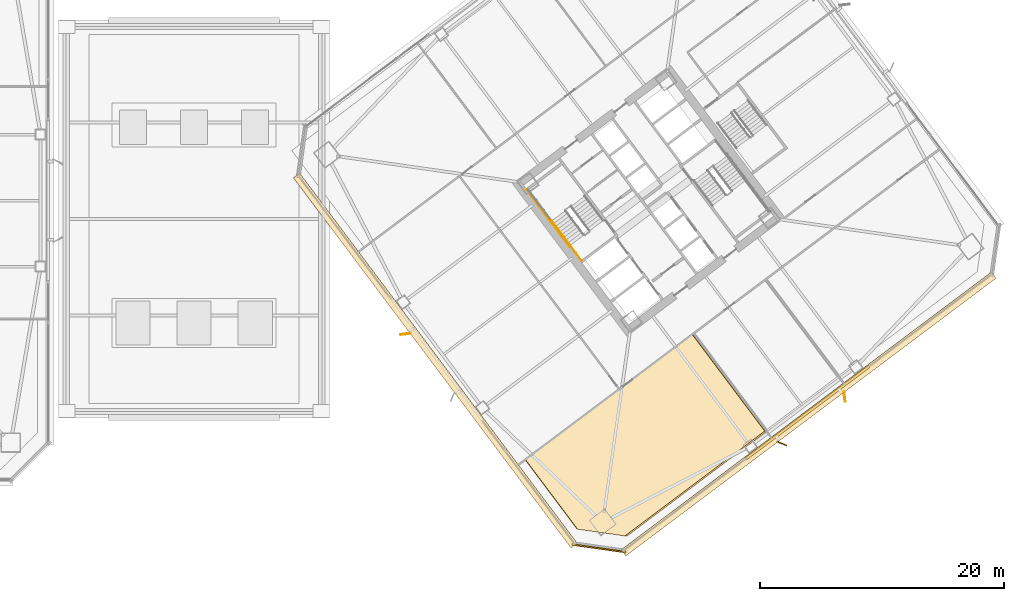
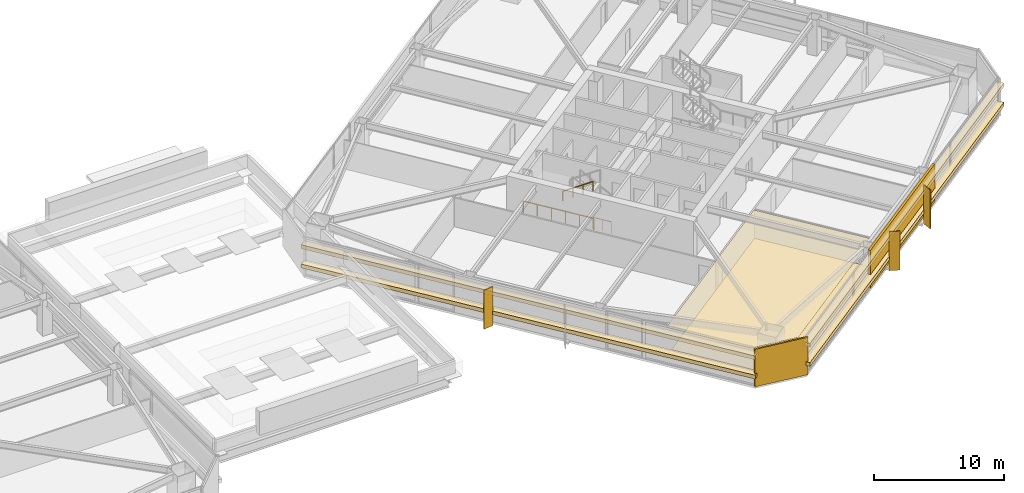
# One storey, part 58 of 62: 8 coverings, 3 railings, 3 shading devices.
"""IFC4 building model written with IfcOpenShell, lengths in metres."""

from ifc_helpers import new_model, si_unit, direction, frame, origin, origin_2d, place, context, subcontext, project, spatial, polyline, rectangle, outline, extrude, material, layer, layer_set, type_object, element, save


model = new_model("IFC4")

# Units and contexts
model_context = context("Model", 3, precision=1e-05, world=origin(), true_north=direction((0.0, 1.0)))
body_context = subcontext(model_context, "Body", "Model", "MODEL_VIEW")
ifc_project = project(units=[si_unit("LENGTHUNIT", "METRE"), si_unit("AREAUNIT", "SQUARE_METRE"), si_unit("VOLUMEUNIT", "CUBIC_METRE"), si_unit("PLANEANGLEUNIT", "RADIAN"), si_unit("MASSUNIT", "GRAM", prefix="KILO")], contexts=[model_context])

# Site, building, storey
site_placement = place(None, origin())
site = spatial("IfcSite", under=ifc_project, at=site_placement, CompositionType="ELEMENT")
building_placement = place(site_placement, origin())
building = spatial("IfcBuilding", under=site, at=building_placement, Name="Tashvorn Skyway Center", CompositionType="ELEMENT")
storey_placement = place(building_placement, frame((0.0, 0.0, 28.14990234375)))
storey = spatial("IfcBuildingStorey", under=building, at=storey_placement, Name="L06", CompositionType="ELEMENT", Elevation=28.14990234375)

# Coverings
ifc_material_1 = material(Name="Precast concrete C40/50", Category="concrete")
ifc_layer_1 = layer(ifc_material_1, 0.199951171875)
ifc_layer_set_1 = layer_set([ifc_layer_1], Name="Precast concrete C40/50")
covering_type_1 = type_object("IfcCoveringType", Name="COV-BRACE-CLAD", PredefinedType="CLADDING", material=ifc_layer_set_1)
covering_1_placement = place(storey_placement, frame((127.008056640625, 14.656005859375, 0.0), z_axis=(0.0, 0.0, 1.0), x_axis=(-0.799999996291, -0.600000004945, 0.0)))
element("IfcCovering", 1, at=covering_1_placement, inside=storey, type_object=covering_type_1, Name="Tower 2 L06 South Unitised Curtain Wall Mega-Brace Cladding Band 1", PredefinedType="CLADDING", context=body_context, shape_type="SweptSolid", body=[
    extrude(rectangle(XDim=12.586669921875, YDim=0.199951171875, at=origin_2d()), origin(), (0.0, 0.0, 1.0), 3.550048828125),
])
ifc_material_2 = material(Name="Mineral-fibre acoustic ceiling tile on suspended grid")
ifc_layer_2 = layer(ifc_material_2, 0.02001953125)
ifc_layer_set_2 = layer_set([ifc_layer_2], Name="Mineral-fibre acoustic ceiling tile on suspended grid")
covering_type_2 = type_object("IfcCoveringType", Name="COV-CEIL-20", PredefinedType="CEILING", material=ifc_layer_set_2)
covering_2_placement = place(storey_placement, frame((0.0, 0.0, 2.68310546875)))
element("IfcCovering", 2, at=covering_2_placement, inside=storey, type_object=covering_type_2, Name="Tower 2 L06 Open Plan Office Acoustic Ceiling", PredefinedType="CEILING", context=body_context, shape_type="SweptSolid", body=[
    extrude(outline(polyline([(103.93994140625, 10.780029296875), (117.587890625, 21.01611328125), (123.491943359375, 13.14404296875), (112.052001953125, 4.56396484375), (108.18798828125, 5.115966796875), (103.93994140625, 10.780029296875)])), origin(), (0.0, 0.0, 1.0), 0.02001953125),
])
ifc_material_3 = material(Name="Polished Mojave desert-aggregate terrazzo and cover plate")
ifc_layer_3 = layer(ifc_material_3, 0.0400390625)
ifc_layer_set_3 = layer_set([ifc_layer_3], Name="Polished Mojave desert-aggregate terrazzo and cover plate")
covering_type_3 = type_object("IfcCoveringType", Name="COV-FLR-40", PredefinedType="FLOORING", material=ifc_layer_set_3)
covering_3_placement = place(storey_placement, origin())
element("IfcCovering", 3, at=covering_3_placement, inside=storey, type_object=covering_type_3, Name="Tower 2 L06 Open Plan Office Finish Flooring", PredefinedType="FLOORING", context=body_context, shape_type="SweptSolid", body=[
    extrude(outline(polyline([(112.219970703125, 4.5400390625), (108.132080078125, 5.1240234375), (103.931884765625, 10.72412109375), (117.64404296875, 21.008056640625), (123.595947265625, 13.072021484375), (112.219970703125, 4.5400390625)])), origin(), (0.0, 0.0, 1.0), 0.0400390625),
])
ifc_material_4 = material(Name="Perforated ceramic-coated bronze aluminium solar screen", Category="aluminium")
ifc_layer_4 = layer(ifc_material_4, 0.85009765625)
ifc_layer_set_4 = layer_set([ifc_layer_4], Name="Perforated ceramic-coated bronze aluminium solar screen")
covering_type_4 = type_object("IfcCoveringType", Name="COV-SOLAR-BAND", PredefinedType="CLADDING", material=ifc_layer_set_4)
for number, where, z_axis, x_axis, name in (
    (4, (127.092041015625, 14.5439453125, 0.919921875), (0.0, 0.0, 1.0), (-0.799999996291, -0.600000004945, 0.0), "L06 Perforated Ceramic-Metal Solar Screen Louvre Band South 1"),
    (5, (127.092041015625, 14.5439453125, 2.72021484375), (0.0, 0.0, 1.0), (-0.799999996291, -0.600000004945, 0.0), "L06 Perforated Ceramic-Metal Solar Screen Louvre Band South 2"),
    (6, (96.5439453125, 18.907958984375, 0.919921875), (0.0, 0.0, 1.0), (-0.600000004945, 0.799999996291, 0.0), "L06 Perforated Ceramic-Metal Solar Screen Louvre Band West 1"),
    (7, (96.5439453125, 18.907958984375, 2.72021484375), (0.0, 0.0, 1.0), (-0.600000004945, 0.799999996291, 0.0), "L06 Perforated Ceramic-Metal Solar Screen Louvre Band West 2"),
):
    element("IfcCovering", number, at=place(storey_placement, frame(where, z_axis=z_axis, x_axis=x_axis)), inside=storey, type_object=covering_type_4, Name=name, PredefinedType="CLADDING", context=body_context, shape_type="SweptSolid", body=[
        extrude(rectangle(XDim=37.8798828125, YDim=0.639892578125, at=origin_2d()), origin(), (0.0, 0.0, 1.0), 0.360107421875),
    ])
ifc_layer_5 = layer(ifc_material_1, 0.35009765625)
ifc_layer_set_5 = layer_set([ifc_layer_5], Name="Precast concrete C40/50")
covering_type_5 = type_object("IfcCoveringType", Name="COV-STONE-TRIM", PredefinedType="CLADDING", material=ifc_layer_set_5)
covering_4_placement = place(storey_placement, frame((109.93603515625, 3.552001953125, 0.02001953125), z_axis=(0.0, 0.0, 1.0), x_axis=(-0.989949494535, 0.141421350118, 0.0)))
element("IfcCovering", 8, at=covering_4_placement, inside=storey, type_object=covering_type_5, Name="Tower 2 L06 SW Mojave Limestone Corner Quoin", PredefinedType="CLADDING", context=body_context, shape_type="SweptSolid", body=[
    extrude(rectangle(XDim=4.402587890625, YDim=0.139892578125, at=origin_2d()), origin(), (0.0, 0.0, 1.0), 3.510009765625),
])

# Railings
ifc_material_5 = material(Name="Brushed stainless steel 316", Category="steel")
railing_type_1 = type_object("IfcRailingType", Name="RAIL-HAND-920", PredefinedType="HANDRAIL", material=ifc_material_5)
railing_1_placement = place(storey_placement, frame((106.072021484375, 30.35400390625, 1.95263671875)))
element("IfcRailing", 9, at=railing_1_placement, inside=storey, type_object=railing_type_1, Name="L06 ST-T2-1 stair handrail 2", PredefinedType="HANDRAIL", context=body_context, shape_type="SweptSolid", body=[
    extrude(rectangle(XDim=0.048095703125, YDim=0.048095703125, at=origin_2d()), frame((0.0, 0.0, 0.8759765625), z_axis=(0.506740800098, -0.675708949977, 0.535379469569), x_axis=(0.800023250257, 0.599968998406, 0.0)), (0.0, 0.0, 1.0), 2.983642578125),
    extrude(rectangle(XDim=0.0419921875, YDim=0.0419921875, at=origin_2d()), origin(), (0.0, 0.0, 1.0), 0.851806640625),
    extrude(rectangle(XDim=0.0419921875, YDim=0.0419921875, at=origin_2d()), frame((0.50390625, -0.672119140625, 0.532470703125)), (0.0, 0.0, 1.0), 0.851806640625),
    extrude(rectangle(XDim=0.0419921875, YDim=0.0419921875, at=origin_2d()), frame((1.008056640625, -1.343994140625, 1.06494140625)), (0.0, 0.0, 1.0), 0.851806640625),
    extrude(rectangle(XDim=0.0419921875, YDim=0.0419921875, at=origin_2d()), frame((1.511962890625, -2.01611328125, 1.597412109375)), (0.0, 0.0, 1.0), 0.851806640625),
])
ifc_material_6 = material(Name="Painted galvanized steel S355", Category="steel")
railing_type_2 = type_object("IfcRailingType", Name="RAIL-STGUARD-1100", PredefinedType="GUARDRAIL", material=ifc_material_6)
railing_2_placement = place(storey_placement, frame((108.49609375, 27.1220703125, 0.0)))
element("IfcRailing", 10, at=railing_2_placement, inside=storey, type_object=railing_type_2, Name="L06 ST-T2-1 stair guard 6", PredefinedType="GUARDRAIL", context=body_context, shape_type="SweptSolid", body=[
    extrude(rectangle(XDim=0.048095703125, YDim=0.048095703125, at=origin_2d()), frame((0.0, 0.0, 1.076171875), z_axis=(-0.600102796382, 0.799922892393, 0.0), x_axis=(-0.799922892393, -0.600102796382, 0.0)), (0.0, 0.0, 1.0), 1.52001953125),
    extrude(rectangle(XDim=0.0419921875, YDim=0.0419921875, at=origin_2d()), origin(), (0.0, 0.0, 1.0), 1.052001953125),
    extrude(rectangle(XDim=0.0419921875, YDim=0.0419921875, at=origin_2d()), frame((-0.4560546875, 0.60791015625, 0.0)), (0.0, 0.0, 1.0), 1.052001953125),
    extrude(rectangle(XDim=0.0419921875, YDim=0.0419921875, at=origin_2d()), frame((-0.912109375, 1.2158203125, 0.0)), (0.0, 0.0, 1.0), 1.052001953125),
])
railing_3_placement = place(storey_placement, frame((107.56396484375, 28.197998046875, 0.0)))
element("IfcRailing", 11, at=railing_3_placement, inside=storey, type_object=railing_type_2, Name="L06 ST-T2-1 stair guard 7", PredefinedType="GUARDRAIL", context=body_context, shape_type="SweptSolid", body=[
    extrude(rectangle(XDim=0.048095703125, YDim=0.048095703125, at=origin_2d()), frame((0.0, 0.0, 1.076171875), z_axis=(-0.6, 0.8, 0.0), x_axis=(-0.8, -0.6, 0.0)), (0.0, 0.0, 1.0), 5.880126953125),
    extrude(rectangle(XDim=0.0419921875, YDim=0.0419921875, at=origin_2d()), origin(), (0.0, 0.0, 1.0), 1.052001953125),
    extrude(rectangle(XDim=0.0419921875, YDim=0.0419921875, at=origin_2d()), frame((-0.70556640625, 0.94091796875, 0.0)), (0.0, 0.0, 1.0), 1.052001953125),
    extrude(rectangle(XDim=0.0419921875, YDim=0.0419921875, at=origin_2d()), frame((-1.4111328125, 1.881591796875, 0.0)), (0.0, 0.0, 1.0), 1.052001953125),
    extrude(rectangle(XDim=0.0419921875, YDim=0.0419921875, at=origin_2d()), frame((-2.116943359375, 2.822509765625, 0.0)), (0.0, 0.0, 1.0), 1.052001953125),
    extrude(rectangle(XDim=0.0419921875, YDim=0.0419921875, at=origin_2d()), frame((-2.822509765625, 3.76318359375, 0.0)), (0.0, 0.0, 1.0), 1.052001953125),
    extrude(rectangle(XDim=0.0419921875, YDim=0.0419921875, at=origin_2d()), frame((-3.528076171875, 4.7041015625, 0.0)), (0.0, 0.0, 1.0), 1.052001953125),
])

# Shading devices
ifc_layer_6 = layer(ifc_material_4, 0.06005859375)
ifc_layer_set_6 = layer_set([ifc_layer_6], Name="Perforated ceramic-coated bronze aluminium solar screen")
shading_device_type = type_object("IfcShadingDeviceType", Name="SHD-SOLAR-850", PredefinedType="USERDEFINED", material=ifc_layer_set_6)
for number, where, z_axis, x_axis, name in (
    (12, (124.909912109375, 12.1201171875, -0.099853515625), (0.0, 0.0, 1.0), (-0.392820317343, -0.919615244699, 0.0), "Tower 2 L06 Perforated Ceramic-Metal Solar Screen S1"),
    (13, (130.030029296875, 15.9599609375, -0.099853515625), (0.0, 0.0, 1.0), (-0.992820322288, -0.119615248407, 0.0), "Tower 2 L06 Perforated Ceramic-Metal Solar Screen S2"),
    (14, (94.1201171875, 21.090087890625, -0.099853515625), (0.0, 0.0, 1.0), (-0.119615248407, 0.992820322288, 0.0), "Tower 2 L06 Perforated Ceramic-Metal Solar Screen W2"),
):
    element("IfcShadingDevice", number, at=place(storey_placement, frame(where, z_axis=z_axis, x_axis=x_axis)), inside=storey, type_object=shading_device_type, Name=name, ObjectType="SCREEN", PredefinedType="USERDEFINED", context=body_context, shape_type="SweptSolid", body=[
        extrude(rectangle(XDim=0.080078125, YDim=0.85009765625, at=origin_2d()), origin(), (0.0, 0.0, 1.0), 3.64990234375),
    ])

save(model, "model.ifc")
